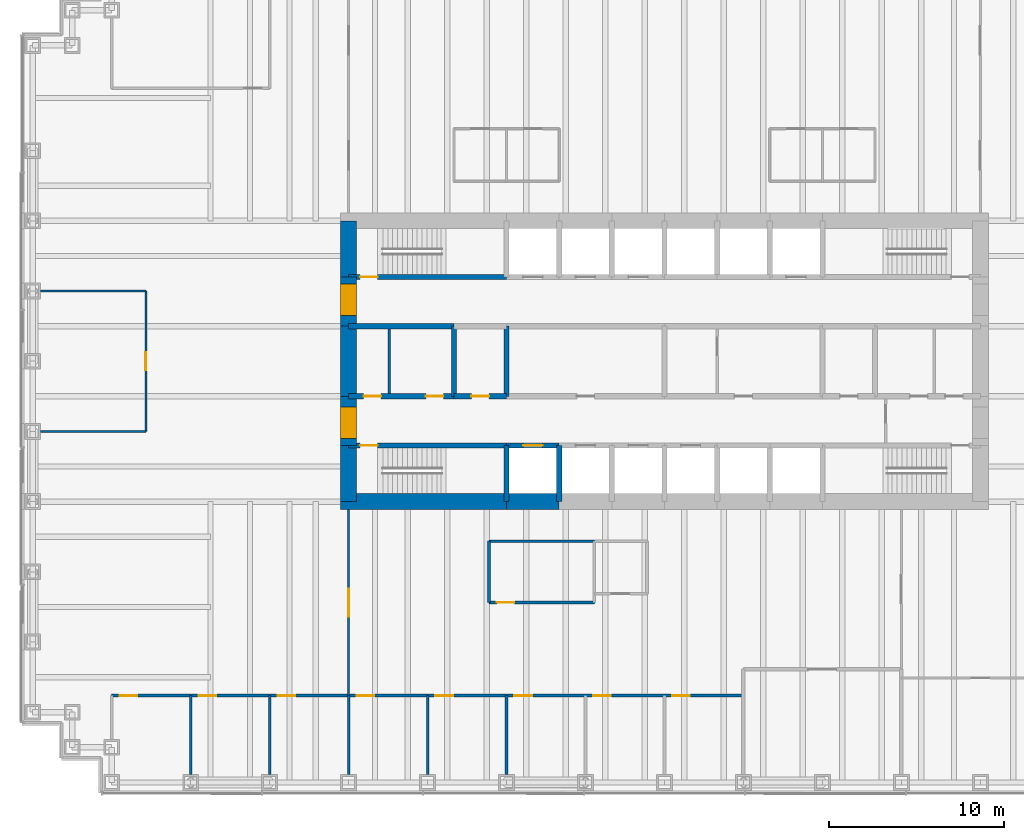
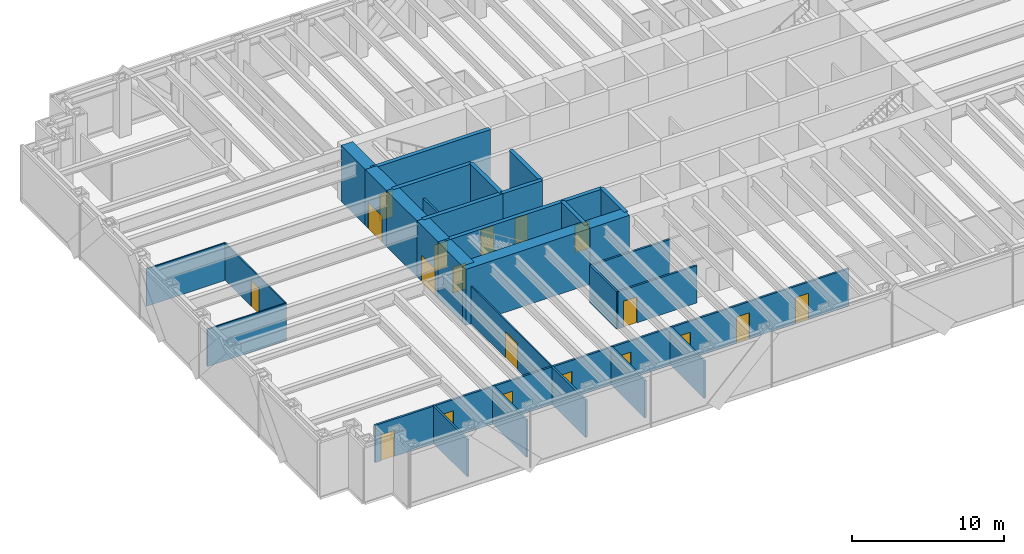
# One storey, part 9 of 13: 31 walls, 19 doors, 19 openings.
"""IFC4 building model written with IfcOpenShell, lengths in metres."""

from ifc_helpers import new_model, si_unit, direction, frame, frame_2d, origin, place, context, subcontext, project, spatial, rectangle, extrude, material, layer, layer_set, type_object, element, fill, save


model = new_model("IFC4")

# Units and contexts
model_context = context("Model", 3, precision=1e-05, world=origin(), true_north=direction((0.0, 1.0)))
body_context = subcontext(model_context, "Body", "Model", "MODEL_VIEW")
ifc_project = project(units=[si_unit("LENGTHUNIT", "METRE"), si_unit("AREAUNIT", "SQUARE_METRE"), si_unit("VOLUMEUNIT", "CUBIC_METRE"), si_unit("PLANEANGLEUNIT", "RADIAN"), si_unit("MASSUNIT", "GRAM", prefix="KILO")], contexts=[model_context])

# Site, building, storey
site_placement = place(None, origin())
site = spatial("IfcSite", under=ifc_project, at=site_placement, CompositionType="ELEMENT")
building_placement = place(site_placement, origin())
building = spatial("IfcBuilding", under=site, at=building_placement, Name="Rheinbord Bourse Tower", CompositionType="ELEMENT")
storey_placement = place(building_placement, frame((0.0, 0.0, 86.0)))
storey = spatial("IfcBuildingStorey", under=building, at=storey_placement, Name="L18", CompositionType="ELEMENT", Elevation=86.0)

# Wall, opening, door
ifc_material_1 = material(Name="Concrete C50/60", Category="concrete")
ifc_layer_1 = layer(ifc_material_1, 0.300048828125)
ifc_layer_set_1 = layer_set([ifc_layer_1], Name="CORE INNER WALL 300")
wall_type_1 = type_object("IfcWallType", Name="CORE INNER WALL 300", PredefinedType="SOLIDWALL", material=ifc_layer_set_1)
wall_1_placement = place(storey_placement, frame((18.0, 19.199951171875, 0.0), z_axis=(0.0, 0.0, 1.0), x_axis=(1.0, 0.0, 0.0)))
wall_1 = element("IfcWall", 1, at=wall_1_placement, inside=storey, type_object=wall_type_1, Name="Core wall A1 L18", PredefinedType="SOLIDWALL", context=body_context, shape_type="SweptSolid", body=[
    extrude(rectangle(XDim=9.0, YDim=0.300048828125, at=frame_2d((4.5, 0.0))), origin(), (0.0, 0.0, 1.0), 4.5),
])
opening_1_placement = place(wall_1_placement, frame((0.64990234375, 0.0, 0.0)))
opening_1 = element("IfcOpeningElement", 2, at=opening_1_placement, cuts=wall_1, Name="Opening 1810", PredefinedType="OPENING", context=body_context, shape_type="SweptSolid", body=[
    extrude(rectangle(XDim=1.0, YDim=2.10009765625, at=frame_2d((0.5, 1.050048828125))), frame((0.0, 0.159912109375, 0.0), z_axis=(0.0, -1.0, 0.0), x_axis=(1.0, 0.0, 0.0)), (0.0, 0.0, 1.0), 0.320068359375),
])
ifc_material_2 = material(Name="Steel door", Category="steel")
door_type_1 = type_object("IfcDoorType", Name="DOOR 1000 EI30", OperationType="SINGLE_SWING_LEFT", PredefinedType="DOOR", material=ifc_material_2)
door_1_placement = place(opening_1_placement, origin())
door_1 = element("IfcDoor", 3, at=door_1_placement, inside=storey, type_object=door_type_1, Name="Stair door ST1 L18", OperationType="SINGLE_SWING_LEFT", OverallHeight=2.10009765625, OverallWidth=1.0, PredefinedType="DOOR", context=body_context, shape_type="SweptSolid", body=[
    extrude(rectangle(XDim=1.0, YDim=2.10009765625, at=frame_2d((0.5, 1.050048828125))), frame((0.0, 0.02490234375, 0.0), z_axis=(0.0, -1.0, 0.0), x_axis=(1.0, 0.0, 0.0)), (0.0, 0.0, 1.0), 0.050048828125),
])
fill(opening_1, door_1)

wall_2_placement = place(storey_placement, frame((27.0, 19.199951171875, 0.0), z_axis=(0.0, 0.0, 1.0), x_axis=(1.0, 0.0, 0.0)))
wall_2 = element("IfcWall", 4, at=wall_2_placement, inside=storey, type_object=wall_type_1, Name="Core wall A2 L18", PredefinedType="SOLIDWALL", context=body_context, shape_type="SweptSolid", body=[
    extrude(rectangle(XDim=3.0, YDim=0.300048828125, at=frame_2d((1.5, 0.0))), origin(), (0.0, 0.0, 1.0), 4.5),
])
opening_2_placement = place(wall_2_placement, frame((0.949951171875, 0.0, 0.0)))
opening_2 = element("IfcOpeningElement", 5, at=opening_2_placement, cuts=wall_2, Name="Opening FL1", PredefinedType="OPENING", context=body_context, shape_type="SweptSolid", body=[
    extrude(rectangle(XDim=1.10009765625, YDim=2.199951171875, at=frame_2d((0.550048828125, 1.10009765625))), frame((0.0, 0.159912109375, 0.0), z_axis=(0.0, -1.0, 0.0), x_axis=(1.0, 0.0, 0.0)), (0.0, 0.0, 1.0), 0.320068359375),
])
ifc_material_3 = material(Name="Steel landing door", Category="steel")
door_type_2 = type_object("IfcDoorType", Name="LIFT LANDING DOOR 1100", OperationType="DOUBLE_DOOR_SLIDING", PredefinedType="USERDEFINED", material=ifc_material_3)
door_2_placement = place(opening_2_placement, origin())
door_2 = element("IfcDoor", 6, at=door_2_placement, inside=storey, type_object=door_type_2, Name="Lift landing door FL1 L18", ObjectType="LIFT LANDING DOOR", OperationType="DOUBLE_DOOR_SLIDING", OverallHeight=2.199951171875, OverallWidth=1.10009765625, PredefinedType="USERDEFINED", context=body_context, shape_type="SweptSolid", body=[
    extrude(rectangle(XDim=1.10009765625, YDim=2.199951171875, at=frame_2d((0.550048828125, 1.10009765625))), frame((0.0, 0.02490234375, 0.0), z_axis=(0.0, -1.0, 0.0), x_axis=(1.0, 0.0, 0.0)), (0.0, 0.0, 1.0), 0.050048828125),
])
fill(opening_2, door_2)

wall_3_placement = place(storey_placement, frame((18.0, 28.800048828125, 0.0), z_axis=(0.0, 0.0, 1.0), x_axis=(1.0, 0.0, 0.0)))
wall_3 = element("IfcWall", 7, at=wall_3_placement, inside=storey, type_object=wall_type_1, Name="Core wall B1 L18", PredefinedType="SOLIDWALL", context=body_context, shape_type="SweptSolid", body=[
    extrude(rectangle(XDim=9.0, YDim=0.300048828125, at=frame_2d((4.5, 0.0))), origin(), (0.0, 0.0, 1.0), 4.5),
])
opening_3_placement = place(wall_3_placement, frame((0.64990234375, 0.0, 0.0)))
opening_3 = element("IfcOpeningElement", 8, at=opening_3_placement, cuts=wall_3, Name="Opening 1820", PredefinedType="OPENING", context=body_context, shape_type="SweptSolid", body=[
    extrude(rectangle(XDim=1.0, YDim=2.10009765625, at=frame_2d((0.5, 1.050048828125))), frame((0.0, 0.159912109375, 0.0), z_axis=(0.0, -1.0, 0.0), x_axis=(1.0, 0.0, 0.0)), (0.0, 0.0, 1.0), 0.320068359375),
])
door_3_placement = place(opening_3_placement, origin())
door_3 = element("IfcDoor", 9, at=door_3_placement, inside=storey, type_object=door_type_1, Name="Stair door ST2 L18", OperationType="SINGLE_SWING_LEFT", OverallHeight=2.10009765625, OverallWidth=1.0, PredefinedType="DOOR", context=body_context, shape_type="SweptSolid", body=[
    extrude(rectangle(XDim=1.0, YDim=2.10009765625, at=frame_2d((0.5, 1.050048828125))), frame((0.0, 0.02490234375, 0.0), z_axis=(0.0, -1.0, 0.0), x_axis=(1.0, 0.0, 0.0)), (0.0, 0.0, 1.0), 0.050048828125),
])
fill(opening_3, door_3)

# Wall, openings, doors
wall_4_placement = place(storey_placement, frame((18.0, 22.0, 0.0), z_axis=(0.0, 0.0, 1.0), x_axis=(1.0, 0.0, 0.0)))
wall_4 = element("IfcWall", 10, at=wall_4_placement, inside=storey, type_object=wall_type_1, Name="Core wall C1 L18", PredefinedType="SOLIDWALL", context=body_context, shape_type="SweptSolid", body=[
    extrude(rectangle(XDim=6.0, YDim=0.300048828125, at=frame_2d((3.0, 0.0))), origin(), (0.0, 0.0, 1.0), 4.5),
])
opening_4_placement = place(wall_4_placement, frame((4.39990234375, 0.0, 0.0)))
opening_4 = element("IfcOpeningElement", 11, at=opening_4_placement, cuts=wall_4, Name="Opening 18R1", PredefinedType="OPENING", context=body_context, shape_type="SweptSolid", body=[
    extrude(rectangle(XDim=1.0, YDim=2.10009765625, at=frame_2d((0.5, 1.050048828125))), frame((0.0, 0.159912109375, 0.0), z_axis=(0.0, -1.0, 0.0), x_axis=(1.0, 0.0, 0.0)), (0.0, 0.0, 1.0), 0.320068359375),
])
opening_5_placement = place(wall_4_placement, frame((0.85009765625, 0.0, 0.0)))
opening_5 = element("IfcOpeningElement", 12, at=opening_5_placement, cuts=wall_4, Name="Opening 18R9", PredefinedType="OPENING", context=body_context, shape_type="SweptSolid", body=[
    extrude(rectangle(XDim=1.0, YDim=2.10009765625, at=frame_2d((0.5, 1.050048828125))), frame((0.0, 0.159912109375, 0.0), z_axis=(0.0, -1.0, 0.0), x_axis=(1.0, 0.0, 0.0)), (0.0, 0.0, 1.0), 0.320068359375),
])
door_4_placement = place(opening_5_placement, origin())
door_4 = element("IfcDoor", 13, at=door_4_placement, inside=storey, type_object=door_type_1, Name="Baby change door L18", OperationType="SINGLE_SWING_LEFT", OverallHeight=2.10009765625, OverallWidth=1.0, PredefinedType="DOOR", context=body_context, shape_type="SweptSolid", body=[
    extrude(rectangle(XDim=1.0, YDim=2.10009765625, at=frame_2d((0.5, 1.050048828125))), frame((0.0, 0.02490234375, 0.0), z_axis=(0.0, -1.0, 0.0), x_axis=(1.0, 0.0, 0.0)), (0.0, 0.0, 1.0), 0.050048828125),
])
fill(opening_5, door_4)
ifc_material_4 = material(Name="Timber door", Category="wood")
door_type_3 = type_object("IfcDoorType", Name="DOOR 1000 WC", OperationType="SINGLE_SWING_LEFT", PredefinedType="DOOR", material=ifc_material_4)
door_5_placement = place(opening_4_placement, origin())
door_5 = element("IfcDoor", 14, at=door_5_placement, inside=storey, type_object=door_type_3, Name="WC men door L18", OperationType="SINGLE_SWING_RIGHT", OverallHeight=2.10009765625, OverallWidth=1.0, PredefinedType="DOOR", context=body_context, shape_type="SweptSolid", body=[
    extrude(rectangle(XDim=1.0, YDim=2.10009765625, at=frame_2d((0.5, 1.050048828125))), frame((0.0, 0.02490234375, 0.0), z_axis=(0.0, -1.0, 0.0), x_axis=(1.0, 0.0, 0.0)), (0.0, 0.0, 1.0), 0.050048828125),
])
fill(opening_4, door_5)

# Wall, opening, door
wall_5_placement = place(storey_placement, frame((24.0, 22.0, 0.0), z_axis=(0.0, 0.0, 1.0), x_axis=(1.0, 0.0, 0.0)))
wall_5 = element("IfcWall", 15, at=wall_5_placement, inside=storey, type_object=wall_type_1, Name="Core wall C2 L18", PredefinedType="SOLIDWALL", context=body_context, shape_type="SweptSolid", body=[
    extrude(rectangle(XDim=3.0, YDim=0.300048828125, at=frame_2d((1.5, 0.0))), origin(), (0.0, 0.0, 1.0), 4.5),
])
opening_6_placement = place(wall_5_placement, frame((1.0, 0.0, 0.0)))
opening_6 = element("IfcOpeningElement", 16, at=opening_6_placement, cuts=wall_5, Name="Opening 18R2", PredefinedType="OPENING", context=body_context, shape_type="SweptSolid", body=[
    extrude(rectangle(XDim=1.0, YDim=2.10009765625, at=frame_2d((0.5, 1.050048828125))), frame((0.0, 0.159912109375, 0.0), z_axis=(0.0, -1.0, 0.0), x_axis=(1.0, 0.0, 0.0)), (0.0, 0.0, 1.0), 0.320068359375),
])
door_6_placement = place(opening_6_placement, origin())
door_6 = element("IfcDoor", 17, at=door_6_placement, inside=storey, type_object=door_type_3, Name="Accessible WC door L18", OperationType="SINGLE_SWING_LEFT", OverallHeight=2.10009765625, OverallWidth=1.0, PredefinedType="DOOR", context=body_context, shape_type="SweptSolid", body=[
    extrude(rectangle(XDim=1.0, YDim=2.10009765625, at=frame_2d((0.5, 1.050048828125))), frame((0.0, 0.02490234375, 0.0), z_axis=(0.0, -1.0, 0.0), x_axis=(1.0, 0.0, 0.0)), (0.0, 0.0, 1.0), 0.050048828125),
])
fill(opening_6, door_6)

# Walls
wall_6_placement = place(storey_placement, frame((18.0, 26.0, 0.0), z_axis=(0.0, 0.0, 1.0), x_axis=(1.0, 0.0, 0.0)))
element("IfcWall", 18, at=wall_6_placement, inside=storey, type_object=wall_type_1, Name="Core wall D1 L18", PredefinedType="SOLIDWALL", context=body_context, shape_type="SweptSolid", body=[
    extrude(rectangle(XDim=6.0, YDim=0.300048828125, at=frame_2d((3.0, 0.0))), origin(), (0.0, 0.0, 1.0), 4.5),
])
for number, where, z_axis, x_axis, name in (
    (19, (27.0, 16.0, 0.0), (0.0, 0.0, 1.0), (0.0, 1.0, 0.0), "Core wall SX27 L18"),
    (20, (30.0, 16.0, 0.0), (0.0, 0.0, 1.0), (0.0, 1.0, 0.0), "Core wall SX30 L18"),
):
    element("IfcWall", number, at=place(storey_placement, frame(where, z_axis=z_axis, x_axis=x_axis)), inside=storey, type_object=wall_type_1, Name=name, PredefinedType="SOLIDWALL", context=body_context, shape_type="SweptSolid", body=[
        extrude(rectangle(XDim=3.199951171875, YDim=0.300048828125, at=frame_2d((1.60009765625, 0.0))), origin(), (0.0, 0.0, 1.0), 4.5),
    ])
for number, where, z_axis, x_axis, name in (
    (21, (24.0, 22.0, 0.0), (0.0, 0.0, 1.0), (0.0, 1.0, 0.0), "Core wall MX24 L18"),
    (22, (27.0, 22.0, 0.0), (0.0, 0.0, 1.0), (0.0, 1.0, 0.0), "Core wall MX27 L18"),
):
    element("IfcWall", number, at=place(storey_placement, frame(where, z_axis=z_axis, x_axis=x_axis)), inside=storey, type_object=wall_type_1, Name=name, PredefinedType="SOLIDWALL", context=body_context, shape_type="SweptSolid", body=[
        extrude(rectangle(XDim=4.0, YDim=0.300048828125, at=frame_2d((2.0, 0.0))), origin(), (0.0, 0.0, 1.0), 4.5),
    ])
ifc_material_5 = material(Name="Gypsum board fire partition", Category="gypsum board")
ifc_layer_2 = layer(ifc_material_5, 0.14990234375)
ifc_layer_set_2 = layer_set([ifc_layer_2], Name="CORE PARTITION 150 EI30")
wall_type_2 = type_object("IfcWallType", Name="CORE PARTITION 150 EI30", PredefinedType="PARTITIONING", material=ifc_layer_set_2)
wall_7_placement = place(storey_placement, frame((20.324951171875, 22.14990234375, 0.0), z_axis=(0.0, 0.0, 1.0), x_axis=(0.0, 1.0, 0.0)))
element("IfcWall", 23, at=wall_7_placement, inside=storey, type_object=wall_type_2, Name="Core partition L18-2", PredefinedType="PARTITIONING", context=body_context, shape_type="SweptSolid", body=[
    extrude(rectangle(XDim=3.7001953125, YDim=0.14990234375, at=frame_2d((1.85009765625, 0.0))), origin(), (0.0, 0.0, 1.0), 3.0),
])
ifc_material_6 = material(Name="Concrete C50/60", Category="concrete")
ifc_layer_3 = layer(ifc_material_6, 0.89990234375)
ifc_layer_set_3 = layer_set([ifc_layer_3], Name="CORE WALL 900")
wall_type_3 = type_object("IfcWallType", Name="CORE WALL 900", PredefinedType="SHEAR", material=ifc_layer_set_3)
wall_8_placement = place(storey_placement, frame((17.550048828125, 16.0, 0.0), z_axis=(0.0, 0.0, 1.0), x_axis=(1.0, 0.0, 0.0)))
element("IfcWall", 24, at=wall_8_placement, inside=storey, type_object=wall_type_3, Name="Core wall S1 L18", PredefinedType="SHEAR", context=body_context, shape_type="SweptSolid", body=[
    extrude(rectangle(XDim=9.449951171875, YDim=0.89990234375, at=frame_2d((4.72509765625, 0.0))), origin(), (0.0, 0.0, 1.0), 4.5),
])
wall_9_placement = place(storey_placement, frame((27.0, 16.0, 0.0), z_axis=(0.0, 0.0, 1.0), x_axis=(1.0, 0.0, 0.0)))
element("IfcWall", 25, at=wall_9_placement, inside=storey, type_object=wall_type_3, Name="Core wall S2 L18", PredefinedType="SHEAR", context=body_context, shape_type="SweptSolid", body=[
    extrude(rectangle(XDim=3.0, YDim=0.89990234375, at=frame_2d((1.5, 0.0))), origin(), (0.0, 0.0, 1.0), 4.5),
])
wall_10_placement = place(storey_placement, frame((18.0, 32.0, 0.0), z_axis=(0.0, 0.0, 1.0), x_axis=(0.0, -1.0, 0.0)))
element("IfcWall", 26, at=wall_10_placement, inside=storey, type_object=wall_type_3, Name="Core wall W1 L18", PredefinedType="SHEAR", context=body_context, shape_type="SweptSolid", body=[
    extrude(rectangle(XDim=3.199951171875, YDim=0.89990234375, at=frame_2d((1.60009765625, 0.0))), origin(), (0.0, 0.0, 1.0), 4.5),
])

# Wall, opening, door
wall_11_placement = place(storey_placement, frame((18.0, 28.800048828125, 0.0), z_axis=(0.0, 0.0, 1.0), x_axis=(0.0, -1.0, 0.0)))
wall_11 = element("IfcWall", 27, at=wall_11_placement, inside=storey, type_object=wall_type_3, Name="Core wall W2 L18", PredefinedType="SHEAR", context=body_context, shape_type="SweptSolid", body=[
    extrude(rectangle(XDim=2.800048828125, YDim=0.89990234375, at=frame_2d((1.39990234375, 0.0))), origin(), (0.0, 0.0, 1.0), 4.5),
])
opening_7_placement = place(wall_11_placement, frame((0.39990234375, 0.0, 0.0)))
opening_7 = element("IfcOpeningElement", 28, at=opening_7_placement, cuts=wall_11, Name="Opening 18L2", PredefinedType="OPENING", context=body_context, shape_type="SweptSolid", body=[
    extrude(rectangle(XDim=1.800048828125, YDim=2.10009765625, at=frame_2d((0.89990234375, 1.050048828125))), frame((0.0, 0.4599609375, 0.0), z_axis=(0.0, -1.0, 0.0), x_axis=(1.0, 0.0, 0.0)), (0.0, 0.0, 1.0), 0.919921875),
])
ifc_material_7 = material(Name="Steel door", Category="steel")
door_type_4 = type_object("IfcDoorType", Name="DOOR 1800 EI30 DOUBLE", OperationType="DOUBLE_DOOR_DOUBLE_SWING", PredefinedType="DOOR", material=ifc_material_7)
door_7_placement = place(opening_7_placement, origin())
door_7 = element("IfcDoor", 29, at=door_7_placement, inside=storey, type_object=door_type_4, Name="Lobby door 2 L18", OperationType="SINGLE_SWING_LEFT", OverallHeight=2.10009765625, OverallWidth=1.800048828125, PredefinedType="DOOR", context=body_context, shape_type="SweptSolid", body=[
    extrude(rectangle(XDim=1.800048828125, YDim=2.10009765625, at=frame_2d((0.89990234375, 1.050048828125))), frame((0.0, 0.44970703125, 0.0), z_axis=(0.0, -1.0, 0.0), x_axis=(1.0, 0.0, 0.0)), (0.0, 0.0, 1.0), 0.8994140625),
])
fill(opening_7, door_7)

# Wall
wall_12_placement = place(storey_placement, frame((18.0, 26.0, 0.0), z_axis=(0.0, 0.0, 1.0), x_axis=(0.0, -1.0, 0.0)))
element("IfcWall", 30, at=wall_12_placement, inside=storey, type_object=wall_type_3, Name="Core wall W3 L18", PredefinedType="SHEAR", context=body_context, shape_type="SweptSolid", body=[
    extrude(rectangle(XDim=4.0, YDim=0.89990234375, at=frame_2d((2.0, 0.0))), origin(), (0.0, 0.0, 1.0), 4.5),
])

# Wall, opening, door
wall_13_placement = place(storey_placement, frame((18.0, 22.0, 0.0), z_axis=(0.0, 0.0, 1.0), x_axis=(0.0, -1.0, 0.0)))
wall_13 = element("IfcWall", 31, at=wall_13_placement, inside=storey, type_object=wall_type_3, Name="Core wall W4 L18", PredefinedType="SHEAR", context=body_context, shape_type="SweptSolid", body=[
    extrude(rectangle(XDim=2.800048828125, YDim=0.89990234375, at=frame_2d((1.39990234375, 0.0))), origin(), (0.0, 0.0, 1.0), 4.5),
])
opening_8_placement = place(wall_13_placement, frame((0.60009765625, 0.0, 0.0)))
opening_8 = element("IfcOpeningElement", 32, at=opening_8_placement, cuts=wall_13, Name="Opening 18L1", PredefinedType="OPENING", context=body_context, shape_type="SweptSolid", body=[
    extrude(rectangle(XDim=1.800048828125, YDim=2.10009765625, at=frame_2d((0.89990234375, 1.050048828125))), frame((0.0, 0.4599609375, 0.0), z_axis=(0.0, -1.0, 0.0), x_axis=(1.0, 0.0, 0.0)), (0.0, 0.0, 1.0), 0.919921875),
])
door_8_placement = place(opening_8_placement, origin())
door_8 = element("IfcDoor", 33, at=door_8_placement, inside=storey, type_object=door_type_4, Name="Lobby door 1 L18", OperationType="SINGLE_SWING_LEFT", OverallHeight=2.10009765625, OverallWidth=1.800048828125, PredefinedType="DOOR", context=body_context, shape_type="SweptSolid", body=[
    extrude(rectangle(XDim=1.800048828125, YDim=2.10009765625, at=frame_2d((0.89990234375, 1.050048828125))), frame((0.0, 0.44970703125, 0.0), z_axis=(0.0, -1.0, 0.0), x_axis=(1.0, 0.0, 0.0)), (0.0, 0.0, 1.0), 0.8994140625),
])
fill(opening_8, door_8)

# Wall
wall_14_placement = place(storey_placement, frame((18.0, 19.199951171875, 0.0), z_axis=(0.0, 0.0, 1.0), x_axis=(0.0, -1.0, 0.0)))
element("IfcWall", 34, at=wall_14_placement, inside=storey, type_object=wall_type_3, Name="Core wall W5 L18", PredefinedType="SHEAR", context=body_context, shape_type="SweptSolid", body=[
    extrude(rectangle(XDim=3.199951171875, YDim=0.89990234375, at=frame_2d((1.60009765625, 0.0))), origin(), (0.0, 0.0, 1.0), 4.5),
])

# Wall, opening, door
ifc_material_8 = material(Name="Gypsum board fire partition", Category="gypsum board")
ifc_layer_4 = layer(ifc_material_8, 0.14990234375)
ifc_layer_set_4 = layer_set([ifc_layer_4], Name="FIRE PARTITION 150 EI60")
wall_type_4 = type_object("IfcWallType", Name="FIRE PARTITION 150 EI60", PredefinedType="PARTITIONING", material=ifc_layer_set_4)
wall_15_placement = place(storey_placement, frame((26.0, 10.25, 0.0), z_axis=(0.0, 0.0, 1.0), x_axis=(1.0, 0.0, 0.0)))
wall_15 = element("IfcWall", 35, at=wall_15_placement, inside=storey, type_object=wall_type_4, Name="Partition L18-05", PredefinedType="PARTITIONING", context=body_context, shape_type="SweptSolid", body=[
    extrude(rectangle(XDim=6.0, YDim=0.14990234375, at=frame_2d((3.0, 0.0))), origin(), (0.0, 0.0, 1.0), 3.0),
])
opening_9_placement = place(wall_15_placement, frame((0.449951171875, 0.0, 0.0)))
opening_9 = element("IfcOpeningElement", 36, at=opening_9_placement, cuts=wall_15, Name="Opening 18D13", PredefinedType="OPENING", context=body_context, shape_type="SweptSolid", body=[
    extrude(rectangle(XDim=1.0, YDim=2.10009765625, at=frame_2d((0.5, 1.050048828125))), frame((0.0, 0.0849609375, 0.0), z_axis=(0.0, -1.0, 0.0), x_axis=(1.0, 0.0, 0.0)), (0.0, 0.0, 1.0), 0.169921875),
])
ifc_material_9 = material(Name="Timber fire door", Category="wood")
door_type_5 = type_object("IfcDoorType", Name="FIRE DOOR 1000 EI60", OperationType="SINGLE_SWING_LEFT", PredefinedType="DOOR", material=ifc_material_9)
door_9_placement = place(opening_9_placement, origin())
door_9 = element("IfcDoor", 37, at=door_9_placement, inside=storey, type_object=door_type_5, Name="Comms room door L18", OperationType="SINGLE_SWING_LEFT", OverallHeight=2.10009765625, OverallWidth=1.0, PredefinedType="DOOR", context=body_context, shape_type="SweptSolid", body=[
    extrude(rectangle(XDim=1.0, YDim=2.10009765625, at=frame_2d((0.5, 1.050048828125))), frame((0.0, 0.02490234375, 0.0), z_axis=(0.0, -1.0, 0.0), x_axis=(1.0, 0.0, 0.0)), (0.0, 0.0, 1.0), 0.050048828125),
])
fill(opening_9, door_9)

# Walls
wall_16_placement = place(storey_placement, frame((26.0, 13.75, 0.0), z_axis=(0.0, 0.0, 1.0), x_axis=(1.0, 0.0, 0.0)))
element("IfcWall", 38, at=wall_16_placement, inside=storey, type_object=wall_type_4, Name="Partition L18-08", PredefinedType="PARTITIONING", context=body_context, shape_type="SweptSolid", body=[
    extrude(rectangle(XDim=6.0, YDim=0.14990234375, at=frame_2d((3.0, 0.0))), origin(), (0.0, 0.0, 1.0), 3.0),
])
wall_17_placement = place(storey_placement, frame((26.0, 10.25, 0.0), z_axis=(0.0, 0.0, 1.0), x_axis=(0.0, 1.0, 0.0)))
element("IfcWall", 39, at=wall_17_placement, inside=storey, type_object=wall_type_4, Name="Partition L18-29", PredefinedType="PARTITIONING", context=body_context, shape_type="SweptSolid", body=[
    extrude(rectangle(XDim=3.5, YDim=0.14990234375, at=frame_2d((1.75, 0.0))), origin(), (0.0, 0.0, 1.0), 3.0),
])
ifc_material_10 = material(Name="Toughened laminated glass partition", Category="glass")
ifc_layer_5 = layer(ifc_material_10, 0.10009765625)
ifc_layer_set_5 = layer_set([ifc_layer_5], Name="GLAZED PARTITION 100")
wall_type_5 = type_object("IfcWallType", Name="GLAZED PARTITION 100", PredefinedType="PARTITIONING", material=ifc_layer_set_5)
for number, where, z_axis, x_axis, name in (
    (40, (0.449951171875, 20.0, 0.0), (0.0, 0.0, 1.0), (1.0, 0.0, 0.0), "Partition L18-10"),
    (41, (0.449951171875, 28.0, 0.0), (0.0, 0.0, 1.0), (1.0, 0.0, 0.0), "Partition L18-12"),
):
    element("IfcWall", number, at=place(storey_placement, frame(where, z_axis=z_axis, x_axis=x_axis)), inside=storey, type_object=wall_type_5, Name=name, PredefinedType="PARTITIONING", context=body_context, shape_type="SweptSolid", body=[
        extrude(rectangle(XDim=6.0, YDim=0.10009765625, at=frame_2d((3.0, 0.0))), origin(), (0.0, 0.0, 1.0), 3.0),
    ])

# Wall, opening, door
wall_18_placement = place(storey_placement, frame((6.449951171875, 20.0, 0.0), z_axis=(0.0, 0.0, 1.0), x_axis=(0.0, 1.0, 0.0)))
wall_18 = element("IfcWall", 42, at=wall_18_placement, inside=storey, type_object=wall_type_5, Name="Partition L18-20", PredefinedType="PARTITIONING", context=body_context, shape_type="SweptSolid", body=[
    extrude(rectangle(XDim=8.0, YDim=0.10009765625, at=frame_2d((4.0, 0.0))), origin(), (0.0, 0.0, 1.0), 3.0),
])
opening_10_placement = place(wall_18_placement, frame((3.5, 0.0, 0.0)))
opening_10 = element("IfcOpeningElement", 43, at=opening_10_placement, cuts=wall_18, Name="Opening 18D16", PredefinedType="OPENING", context=body_context, shape_type="SweptSolid", body=[
    extrude(rectangle(XDim=1.0, YDim=2.10009765625, at=frame_2d((0.5, 1.050048828125))), frame((0.0, 0.06005859375, 0.0), z_axis=(0.0, -1.0, 0.0), x_axis=(1.0, 0.0, 0.0)), (0.0, 0.0, 1.0), 0.1201171875),
])
ifc_material_11 = material(Name="Timber door", Category="wood")
door_type_6 = type_object("IfcDoorType", Name="ROOM DOOR 1000", OperationType="SINGLE_SWING_LEFT", PredefinedType="DOOR", material=ifc_material_11)
door_10_placement = place(opening_10_placement, origin())
door_10 = element("IfcDoor", 44, at=door_10_placement, inside=storey, type_object=door_type_6, Name="Meeting room door L18", OperationType="SINGLE_SWING_LEFT", OverallHeight=2.10009765625, OverallWidth=1.0, PredefinedType="DOOR", context=body_context, shape_type="SweptSolid", body=[
    extrude(rectangle(XDim=1.0, YDim=2.10009765625, at=frame_2d((0.5, 1.050048828125))), frame((0.0, 0.02490234375, 0.0), z_axis=(0.0, -1.0, 0.0), x_axis=(1.0, 0.0, 0.0)), (0.0, 0.0, 1.0), 0.050048828125),
])
fill(opening_10, door_10)

wall_19_placement = place(storey_placement, frame((18.0, 4.949951171875, 0.0), z_axis=(0.0, 0.0, 1.0), x_axis=(0.0, 1.0, 0.0)))
wall_19 = element("IfcWall", 45, at=wall_19_placement, inside=storey, type_object=wall_type_5, Name="Partition L18-25", PredefinedType="PARTITIONING", context=body_context, shape_type="SweptSolid", body=[
    extrude(rectangle(XDim=10.60009765625, YDim=0.10009765625, at=frame_2d((5.300048828125, 0.0))), origin(), (0.0, 0.0, 1.0), 3.0),
])
opening_11_placement = place(wall_19_placement, frame((4.5, 0.0, 0.0)))
opening_11 = element("IfcOpeningElement", 46, at=opening_11_placement, cuts=wall_19, Name="Opening 18D22", PredefinedType="OPENING", context=body_context, shape_type="SweptSolid", body=[
    extrude(rectangle(XDim=1.60009765625, YDim=2.10009765625, at=frame_2d((0.800048828125, 1.050048828125))), frame((0.0, 0.06005859375, 0.0), z_axis=(0.0, -1.0, 0.0), x_axis=(1.0, 0.0, 0.0)), (0.0, 0.0, 1.0), 0.1201171875),
])
ifc_material_12 = material(Name="Timber door", Category="wood")
door_type_7 = type_object("IfcDoorType", Name="DOUBLE ROOM DOOR 1600", OperationType="DOUBLE_DOOR_DOUBLE_SWING", PredefinedType="DOOR", material=ifc_material_12)
door_11_placement = place(opening_11_placement, origin())
door_11 = element("IfcDoor", 47, at=door_11_placement, inside=storey, type_object=door_type_7, Name="Open area door L18", OperationType="SINGLE_SWING_LEFT", OverallHeight=2.10009765625, OverallWidth=1.60009765625, PredefinedType="DOOR", context=body_context, shape_type="SweptSolid", body=[
    extrude(rectangle(XDim=1.60009765625, YDim=2.10009765625, at=frame_2d((0.800048828125, 1.050048828125))), frame((0.0, 0.02490234375, 0.0), z_axis=(0.0, -1.0, 0.0), x_axis=(1.0, 0.0, 0.0)), (0.0, 0.0, 1.0), 0.050048828125),
])
fill(opening_11, door_11)

# Wall, openings, doors
ifc_material_13 = material(Name="Gypsum board partition", Category="gypsum board")
ifc_layer_6 = layer(ifc_material_13, 0.14990234375)
ifc_layer_set_6 = layer_set([ifc_layer_6], Name="PARTITION 150")
wall_type_6 = type_object("IfcWallType", Name="PARTITION 150", PredefinedType="PARTITIONING", material=ifc_layer_set_6)
wall_20_placement = place(storey_placement, frame((4.5, 4.949951171875, 0.0), z_axis=(0.0, 0.0, 1.0), x_axis=(1.0, 0.0, 0.0)))
wall_20 = element("IfcWall", 48, at=wall_20_placement, inside=storey, type_object=wall_type_6, Name="Partition L18-01", PredefinedType="PARTITIONING", context=body_context, shape_type="SweptSolid", body=[
    extrude(rectangle(XDim=36.0, YDim=0.14990234375, at=frame_2d((18.0, 0.0))), origin(), (0.0, 0.0, 1.0), 3.0),
])
opening_12_placement = place(wall_20_placement, frame((0.449951171875, 0.0, 0.0)))
opening_12 = element("IfcOpeningElement", 49, at=opening_12_placement, cuts=wall_20, Name="Opening 18D01", PredefinedType="OPENING", context=body_context, shape_type="SweptSolid", body=[
    extrude(rectangle(XDim=1.0, YDim=2.10009765625, at=frame_2d((0.5, 1.050048828125))), frame((0.0, 0.0849609375, 0.0), z_axis=(0.0, -1.0, 0.0), x_axis=(1.0, 0.0, 0.0)), (0.0, 0.0, 1.0), 0.169921875),
])
opening_13_placement = place(wall_20_placement, frame((4.949951171875, 0.0, 0.0)))
opening_13 = element("IfcOpeningElement", 50, at=opening_13_placement, cuts=wall_20, Name="Opening 18D02", PredefinedType="OPENING", context=body_context, shape_type="SweptSolid", body=[
    extrude(rectangle(XDim=1.0, YDim=2.10009765625, at=frame_2d((0.5, 1.050048828125))), frame((0.0, 0.0849609375, 0.0), z_axis=(0.0, -1.0, 0.0), x_axis=(1.0, 0.0, 0.0)), (0.0, 0.0, 1.0), 0.169921875),
])
opening_14_placement = place(wall_20_placement, frame((9.449951171875, 0.0, 0.0)))
opening_14 = element("IfcOpeningElement", 51, at=opening_14_placement, cuts=wall_20, Name="Opening 18D03", PredefinedType="OPENING", context=body_context, shape_type="SweptSolid", body=[
    extrude(rectangle(XDim=1.0, YDim=2.10009765625, at=frame_2d((0.5, 1.050048828125))), frame((0.0, 0.0849609375, 0.0), z_axis=(0.0, -1.0, 0.0), x_axis=(1.0, 0.0, 0.0)), (0.0, 0.0, 1.0), 0.169921875),
])
opening_15_placement = place(wall_20_placement, frame((13.949951171875, 0.0, 0.0)))
opening_15 = element("IfcOpeningElement", 52, at=opening_15_placement, cuts=wall_20, Name="Opening 18D04", PredefinedType="OPENING", context=body_context, shape_type="SweptSolid", body=[
    extrude(rectangle(XDim=1.0, YDim=2.10009765625, at=frame_2d((0.5, 1.050048828125))), frame((0.0, 0.0849609375, 0.0), z_axis=(0.0, -1.0, 0.0), x_axis=(1.0, 0.0, 0.0)), (0.0, 0.0, 1.0), 0.169921875),
])
opening_16_placement = place(wall_20_placement, frame((18.449951171875, 0.0, 0.0)))
opening_16 = element("IfcOpeningElement", 53, at=opening_16_placement, cuts=wall_20, Name="Opening 18D05", PredefinedType="OPENING", context=body_context, shape_type="SweptSolid", body=[
    extrude(rectangle(XDim=1.0, YDim=2.10009765625, at=frame_2d((0.5, 1.050048828125))), frame((0.0, 0.0849609375, 0.0), z_axis=(0.0, -1.0, 0.0), x_axis=(1.0, 0.0, 0.0)), (0.0, 0.0, 1.0), 0.169921875),
])
opening_17_placement = place(wall_20_placement, frame((22.949951171875, 0.0, 0.0)))
opening_17 = element("IfcOpeningElement", 54, at=opening_17_placement, cuts=wall_20, Name="Opening 18D06", PredefinedType="OPENING", context=body_context, shape_type="SweptSolid", body=[
    extrude(rectangle(XDim=1.0, YDim=2.10009765625, at=frame_2d((0.5, 1.050048828125))), frame((0.0, 0.0849609375, 0.0), z_axis=(0.0, -1.0, 0.0), x_axis=(1.0, 0.0, 0.0)), (0.0, 0.0, 1.0), 0.169921875),
])
opening_18_placement = place(wall_20_placement, frame((27.449951171875, 0.0, 0.0)))
opening_18 = element("IfcOpeningElement", 55, at=opening_18_placement, cuts=wall_20, Name="Opening 18D07", PredefinedType="OPENING", context=body_context, shape_type="SweptSolid", body=[
    extrude(rectangle(XDim=1.0, YDim=2.10009765625, at=frame_2d((0.5, 1.050048828125))), frame((0.0, 0.0849609375, 0.0), z_axis=(0.0, -1.0, 0.0), x_axis=(1.0, 0.0, 0.0)), (0.0, 0.0, 1.0), 0.169921875),
])
opening_19_placement = place(wall_20_placement, frame((31.949951171875, 0.0, 0.0)))
opening_19 = element("IfcOpeningElement", 56, at=opening_19_placement, cuts=wall_20, Name="Opening 18D08", PredefinedType="OPENING", context=body_context, shape_type="SweptSolid", body=[
    extrude(rectangle(XDim=1.0, YDim=2.10009765625, at=frame_2d((0.5, 1.050048828125))), frame((0.0, 0.0849609375, 0.0), z_axis=(0.0, -1.0, 0.0), x_axis=(1.0, 0.0, 0.0)), (0.0, 0.0, 1.0), 0.169921875),
])
door_12_placement = place(opening_12_placement, origin())
door_12 = element("IfcDoor", 57, at=door_12_placement, inside=storey, type_object=door_type_6, Name="Office door L18", OperationType="SINGLE_SWING_LEFT", OverallHeight=2.10009765625, OverallWidth=1.0, PredefinedType="DOOR", context=body_context, shape_type="SweptSolid", body=[
    extrude(rectangle(XDim=1.0, YDim=2.10009765625, at=frame_2d((0.5, 1.050048828125))), frame((0.0, 0.02490234375, 0.0), z_axis=(0.0, -1.0, 0.0), x_axis=(1.0, 0.0, 0.0)), (0.0, 0.0, 1.0), 0.050048828125),
])
fill(opening_12, door_12)
door_13_placement = place(opening_13_placement, origin())
door_13 = element("IfcDoor", 58, at=door_13_placement, inside=storey, type_object=door_type_6, Name="Office door L18", OperationType="SINGLE_SWING_LEFT", OverallHeight=2.10009765625, OverallWidth=1.0, PredefinedType="DOOR", context=body_context, shape_type="SweptSolid", body=[
    extrude(rectangle(XDim=1.0, YDim=2.10009765625, at=frame_2d((0.5, 1.050048828125))), frame((0.0, 0.02490234375, 0.0), z_axis=(0.0, -1.0, 0.0), x_axis=(1.0, 0.0, 0.0)), (0.0, 0.0, 1.0), 0.050048828125),
])
fill(opening_13, door_13)
door_14_placement = place(opening_14_placement, origin())
door_14 = element("IfcDoor", 59, at=door_14_placement, inside=storey, type_object=door_type_6, Name="Office door L18", OperationType="SINGLE_SWING_LEFT", OverallHeight=2.10009765625, OverallWidth=1.0, PredefinedType="DOOR", context=body_context, shape_type="SweptSolid", body=[
    extrude(rectangle(XDim=1.0, YDim=2.10009765625, at=frame_2d((0.5, 1.050048828125))), frame((0.0, 0.02490234375, 0.0), z_axis=(0.0, -1.0, 0.0), x_axis=(1.0, 0.0, 0.0)), (0.0, 0.0, 1.0), 0.050048828125),
])
fill(opening_14, door_14)
door_15_placement = place(opening_15_placement, origin())
door_15 = element("IfcDoor", 60, at=door_15_placement, inside=storey, type_object=door_type_6, Name="Office door L18", OperationType="SINGLE_SWING_LEFT", OverallHeight=2.10009765625, OverallWidth=1.0, PredefinedType="DOOR", context=body_context, shape_type="SweptSolid", body=[
    extrude(rectangle(XDim=1.0, YDim=2.10009765625, at=frame_2d((0.5, 1.050048828125))), frame((0.0, 0.02490234375, 0.0), z_axis=(0.0, -1.0, 0.0), x_axis=(1.0, 0.0, 0.0)), (0.0, 0.0, 1.0), 0.050048828125),
])
fill(opening_15, door_15)
door_16_placement = place(opening_16_placement, origin())
door_16 = element("IfcDoor", 61, at=door_16_placement, inside=storey, type_object=door_type_6, Name="Office door L18", OperationType="SINGLE_SWING_RIGHT", OverallHeight=2.10009765625, OverallWidth=1.0, PredefinedType="DOOR", context=body_context, shape_type="SweptSolid", body=[
    extrude(rectangle(XDim=1.0, YDim=2.10009765625, at=frame_2d((0.5, 1.050048828125))), frame((0.0, 0.02490234375, 0.0), z_axis=(0.0, -1.0, 0.0), x_axis=(1.0, 0.0, 0.0)), (0.0, 0.0, 1.0), 0.050048828125),
])
fill(opening_16, door_16)
door_17_placement = place(opening_17_placement, origin())
door_17 = element("IfcDoor", 62, at=door_17_placement, inside=storey, type_object=door_type_6, Name="Office door L18", OperationType="SINGLE_SWING_RIGHT", OverallHeight=2.10009765625, OverallWidth=1.0, PredefinedType="DOOR", context=body_context, shape_type="SweptSolid", body=[
    extrude(rectangle(XDim=1.0, YDim=2.10009765625, at=frame_2d((0.5, 1.050048828125))), frame((0.0, 0.02490234375, 0.0), z_axis=(0.0, -1.0, 0.0), x_axis=(1.0, 0.0, 0.0)), (0.0, 0.0, 1.0), 0.050048828125),
])
fill(opening_17, door_17)
door_18_placement = place(opening_18_placement, origin())
door_18 = element("IfcDoor", 63, at=door_18_placement, inside=storey, type_object=door_type_6, Name="Office door L18", OperationType="SINGLE_SWING_RIGHT", OverallHeight=2.10009765625, OverallWidth=1.0, PredefinedType="DOOR", context=body_context, shape_type="SweptSolid", body=[
    extrude(rectangle(XDim=1.0, YDim=2.10009765625, at=frame_2d((0.5, 1.050048828125))), frame((0.0, 0.02490234375, 0.0), z_axis=(0.0, -1.0, 0.0), x_axis=(1.0, 0.0, 0.0)), (0.0, 0.0, 1.0), 0.050048828125),
])
fill(opening_18, door_18)
door_19_placement = place(opening_19_placement, origin())
door_19 = element("IfcDoor", 64, at=door_19_placement, inside=storey, type_object=door_type_6, Name="Office door L18", OperationType="SINGLE_SWING_RIGHT", OverallHeight=2.10009765625, OverallWidth=1.0, PredefinedType="DOOR", context=body_context, shape_type="SweptSolid", body=[
    extrude(rectangle(XDim=1.0, YDim=2.10009765625, at=frame_2d((0.5, 1.050048828125))), frame((0.0, 0.02490234375, 0.0), z_axis=(0.0, -1.0, 0.0), x_axis=(1.0, 0.0, 0.0)), (0.0, 0.0, 1.0), 0.050048828125),
])
fill(opening_19, door_19)

# Walls
for number, where, z_axis, x_axis, name in (
    (65, (9.0, 0.449951171875, 0.0), (0.0, 0.0, 1.0), (0.0, 1.0, 0.0), "Partition L18-21"),
    (66, (13.5, 0.449951171875, 0.0), (0.0, 0.0, 1.0), (0.0, 1.0, 0.0), "Partition L18-22"),
    (67, (18.0, 0.449951171875, 0.0), (0.0, 0.0, 1.0), (0.0, 1.0, 0.0), "Partition L18-24"),
    (68, (22.5, 0.449951171875, 0.0), (0.0, 0.0, 1.0), (0.0, 1.0, 0.0), "Partition L18-27"),
    (69, (27.0, 0.449951171875, 0.0), (0.0, 0.0, 1.0), (0.0, 1.0, 0.0), "Partition L18-30"),
):
    element("IfcWall", number, at=place(storey_placement, frame(where, z_axis=z_axis, x_axis=x_axis)), inside=storey, type_object=wall_type_6, Name=name, PredefinedType="PARTITIONING", context=body_context, shape_type="SweptSolid", body=[
        extrude(rectangle(XDim=4.5, YDim=0.14990234375, at=frame_2d((2.25, 0.0))), origin(), (0.0, 0.0, 1.0), 3.0),
    ])

save(model, "model.ifc")
